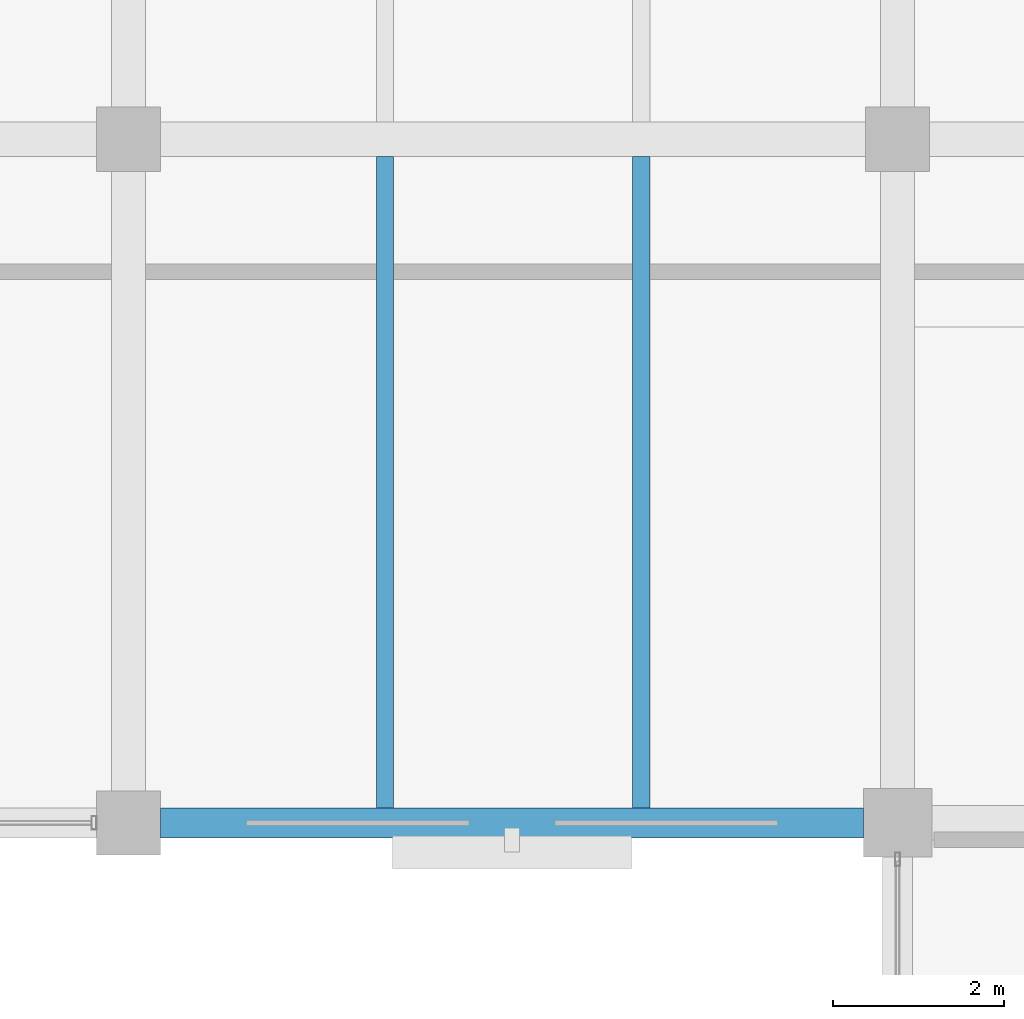
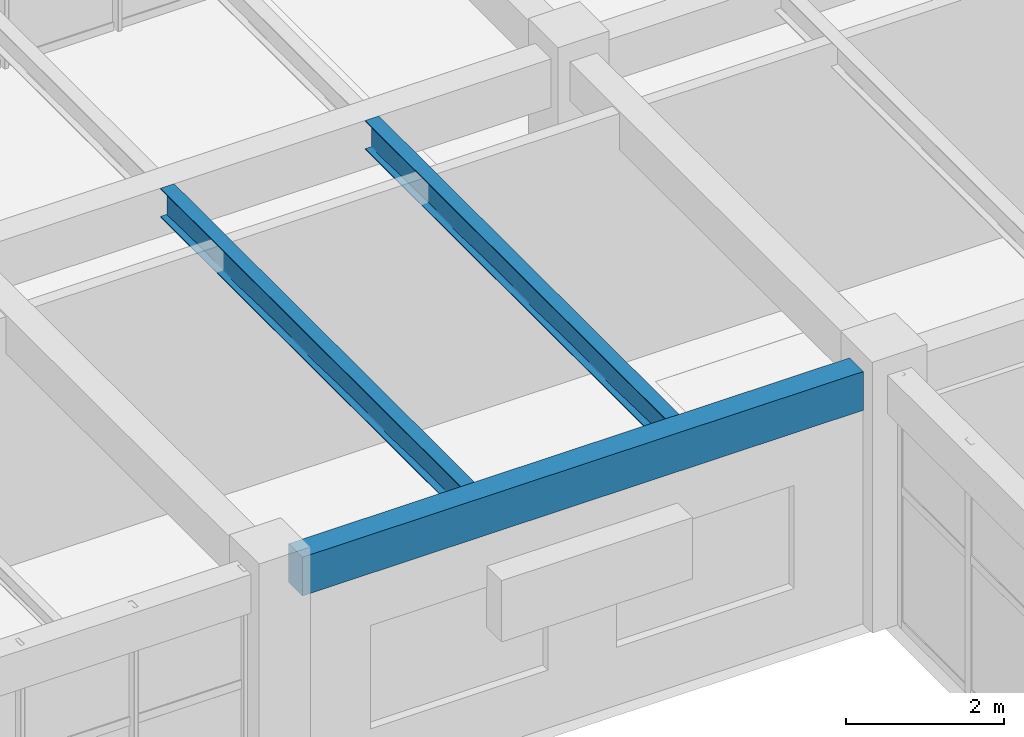
# One storey, part 103 of 148: 3 beams.
"""IFC4 building model written with IfcOpenShell, lengths in metres."""

from ifc_helpers import new_model, si_unit, derived_unit, direction, frame, origin, origin_2d, place, context, subcontext, project, spatial, rectangle, i_section, extrude, material, material_profile, profile_set, type_object, element, save


model = new_model("IFC4")

# Units and contexts
model_context = context("Model", 3, precision=1e-05, world=origin(), true_north=direction((0.0, 1.0)))
body_context = subcontext(model_context, "Body", "Model", "MODEL_VIEW")
ifc_project = project(units=[si_unit("LENGTHUNIT", "METRE"), si_unit("AREAUNIT", "SQUARE_METRE"), si_unit("VOLUMEUNIT", "CUBIC_METRE"), si_unit("PLANEANGLEUNIT", "RADIAN"), si_unit("MASSUNIT", "GRAM", prefix="KILO"), derived_unit("THERMALTRANSMITTANCEUNIT", [(si_unit("MASSUNIT", "GRAM", prefix="KILO"), 1), (si_unit("TIMEUNIT", "SECOND"), -3), (si_unit("THERMODYNAMICTEMPERATUREUNIT", "KELVIN"), -1)])], contexts=[model_context])

# Site, building, storey
site_placement = place(None, origin())
site = spatial("IfcSite", under=ifc_project, at=site_placement, CompositionType="ELEMENT")
building_placement = place(site_placement, origin())
building = spatial("IfcBuilding", under=site, at=building_placement, Name="Zhenchuan Archway Interchange", CompositionType="ELEMENT")
storey_placement = place(building_placement, frame((0.0, 0.0, 10.199951171875)))
storey = spatial("IfcBuildingStorey", under=building, at=storey_placement, Name="L02", CompositionType="ELEMENT", Elevation=10.199951171875)

# Beams
ifc_material_1 = material(Name="Steel Q355", Category="steel")
ifc_material_profile_1 = material_profile(ifc_material_1, i_section(OverallWidth=0.199951171875, OverallDepth=0.449951171875, WebThickness=0.009033203125, FlangeThickness=0.013916015625, FilletRadius=0.01806640625, at=origin_2d()), Name="HN 450x200")
ifc_profile_set_1 = profile_set([ifc_material_profile_1], Name="Steel Q355")
beam_type_1 = type_object("IfcBeamType", Name="JST_STL_HN450", PredefinedType="JOIST", material=ifc_profile_set_1)
for number, where, z_axis, x_axis, name in (
    (1, (138.0, 88.175048828125, 3.695068359375), (0.0, 1.0, 0.0), (-1.0, 0.0, 0.0), "Secondary joist 16-17/M-N #1 (L02)"),
    (2, (141.0, 88.175048828125, 3.695068359375), (0.0, 1.0, 0.0), (-1.0, 0.0, 0.0), "Secondary joist 16-17/M-N #2 (L02)"),
):
    element("IfcBeam", number, at=place(storey_placement, frame(where, z_axis=z_axis, x_axis=x_axis)), inside=storey, type_object=beam_type_1, Name=name, PredefinedType="JOIST", context=body_context, shape_type="SweptSolid", body=[
        extrude(i_section(OverallWidth=0.199951171875, OverallDepth=0.449951171875, WebThickness=0.009033203125, FlangeThickness=0.013916015625, FilletRadius=0.01806640625, at=origin_2d()), origin(), (0.0, 0.0, 1.0), 7.625),
    ])
ifc_material_2 = material(Name="Concrete C40", Category="concrete")
ifc_material_profile_2 = material_profile(ifc_material_2, rectangle(XDim=0.35009765625, YDim=0.60009765625, at=origin_2d()), Name="RC 350x600")
ifc_profile_set_2 = profile_set([ifc_material_profile_2], Name="Concrete C40")
beam_type_2 = type_object("IfcBeamType", Name="SP_RC_350x600", PredefinedType="SPANDREL", material=ifc_profile_set_2)
beam_placement = place(storey_placement, frame((135.375, 88.0, 3.6201171875), z_axis=(1.0, 0.0, 0.0), x_axis=(0.0, 1.0, 0.0)))
element("IfcBeam", 3, at=beam_placement, inside=storey, type_object=beam_type_2, Name="Beam M:16-17 (L02)", PredefinedType="SPANDREL", context=body_context, shape_type="SweptSolid", body=[
    extrude(rectangle(XDim=0.35009765625, YDim=0.60009765625, at=origin_2d()), origin(), (0.0, 0.0, 1.0), 8.22509765625),
])

save(model, "model.ifc")
